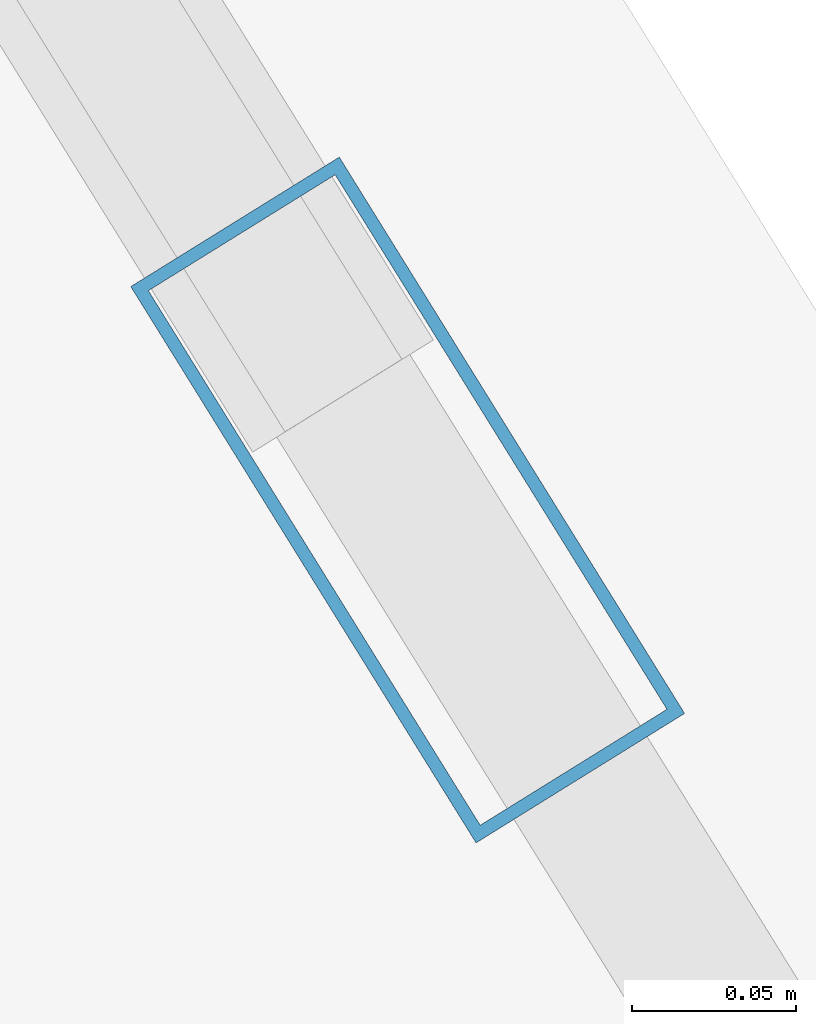
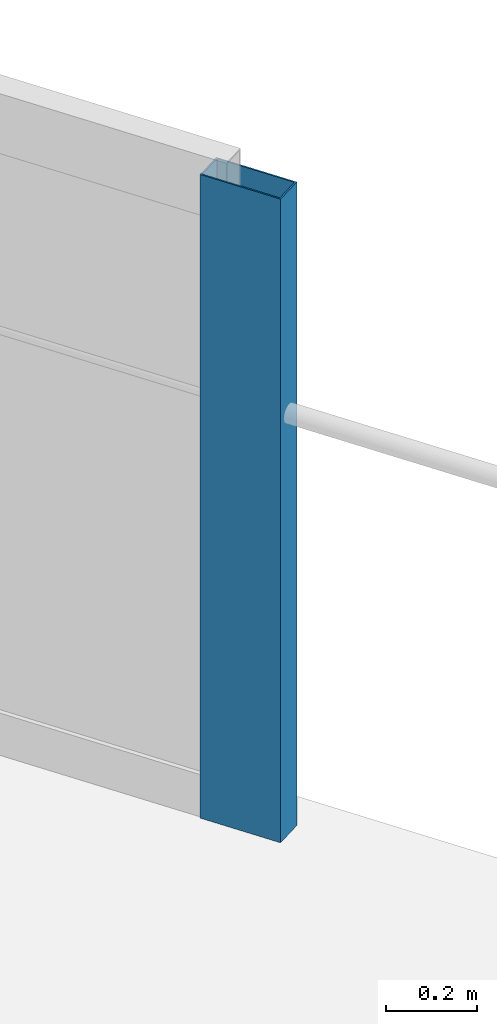
# One storey, part 12 of 21: 1 member, 1 element without a shape of its own.
"""IFC4 building model written with IfcOpenShell, lengths in metres."""

from ifc_helpers import new_model, si_unit, direction, frame, origin, origin_2d, place, context, subcontext, project, spatial, hollow_rectangle, extrude, material, layer, layer_set, material_profile, profile_set, type_object, element, aggregate, save


model = new_model("IFC4")

# Units and contexts
model_context = context("Model", 3, precision=1e-05, world=origin(), true_north=direction((0.0, 1.0)))
body_context = subcontext(model_context, "Body", "Model", "MODEL_VIEW")
ifc_project = project(units=[si_unit("LENGTHUNIT", "METRE"), si_unit("AREAUNIT", "SQUARE_METRE"), si_unit("VOLUMEUNIT", "CUBIC_METRE"), si_unit("PLANEANGLEUNIT", "RADIAN"), si_unit("MASSUNIT", "GRAM", prefix="KILO")], contexts=[model_context])

# Site, building, storey
site_placement = place(None, origin())
site = spatial("IfcSite", under=ifc_project, at=site_placement, CompositionType="ELEMENT")
building_placement = place(site_placement, origin())
building = spatial("IfcBuilding", under=site, at=building_placement, Name="Solvane Sanctuary Tower", CompositionType="ELEMENT")
storey_placement = place(building_placement, frame((0.0, 0.0, 256.800048828125)))
storey = spatial("IfcBuildingStorey", under=building, at=storey_placement, Name="L78", CompositionType="ELEMENT", Elevation=256.800048828125)

# Curtain wall, member
ifc_material = material(Name="Anodised Aluminium 6063-T6", Category="aluminium")
ifc_layer = layer(ifc_material, 0.18994140625, Name="Anodised Aluminium 6063-T6")
ifc_layer_set = layer_set([ifc_layer], Name="Anodised Aluminium 6063-T6")
curtain_wall_type = type_object("IfcCurtainWallType", Name="Curtain Wall CW-OPER", PredefinedType="NOTDEFINED", material=ifc_layer_set)
curtain_wall_placement = place(storey_placement, origin())
curtain_wall = element("IfcCurtainWall", 1, at=curtain_wall_placement, inside=storey, type_object=curtain_wall_type, Name="L78 CW-OPER Facade Run 04", PredefinedType="NOTDEFINED")
ifc_material_profile = material_profile(ifc_material, hollow_rectangle(XDim=0.074951171875, YDim=0.199951171875, WallThickness=0.00390625, at=origin_2d()), Name="ALU200X75X4")
ifc_profile_set = profile_set([ifc_material_profile], Name="Anodised Aluminium 6063-T6")
member_type = type_object("IfcMemberType", Name="Member M-CW-MUL-1 ALU200X75X4", PredefinedType="MULLION", material=ifc_profile_set)
member_placement = place(storey_placement, frame((43.417724609375, 39.398681640625, 0.0), z_axis=(0.0, 0.0, 1.0), x_axis=(-0.849622273102, -0.527391688453, 0.0)))
member = element("IfcMember", 2, at=member_placement, type_object=member_type, Name="CW-OPER mullion 1", PredefinedType="MULLION", context=body_context, shape_type="SweptSolid", body=[
    extrude(hollow_rectangle(XDim=0.074951171875, YDim=0.199951171875, WallThickness=0.00390625, at=origin_2d()), origin(), (0.0, 0.0, 1.0), 1.719970703125),
])
aggregate(curtain_wall, [member])

save(model, "model.ifc")
